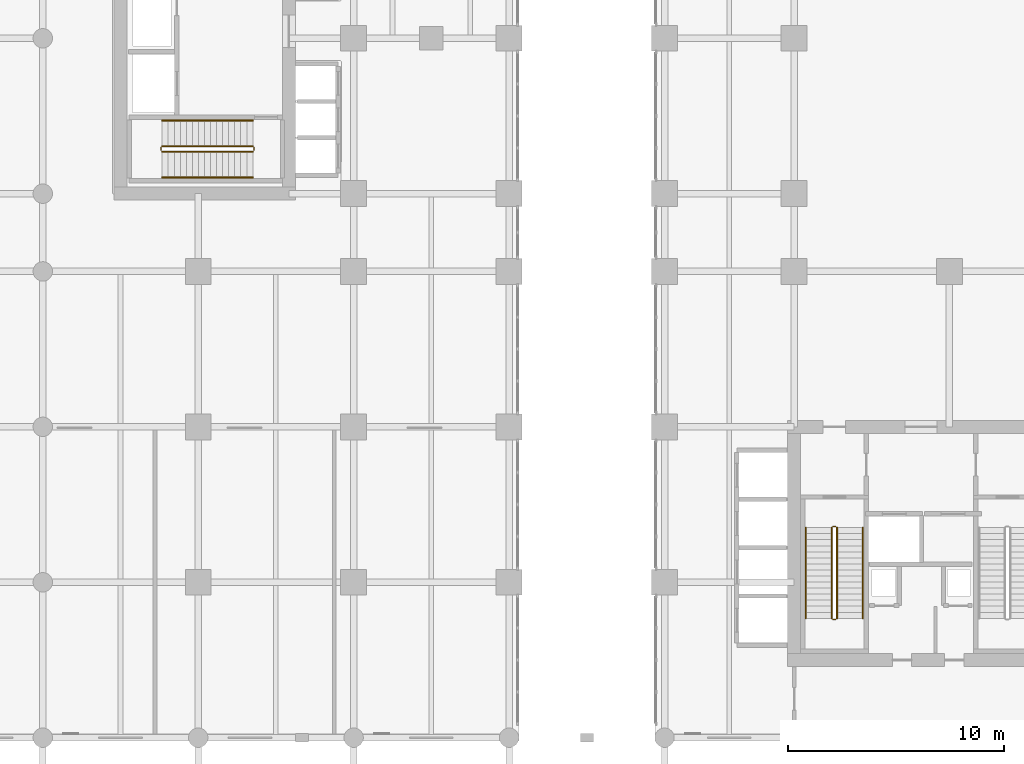
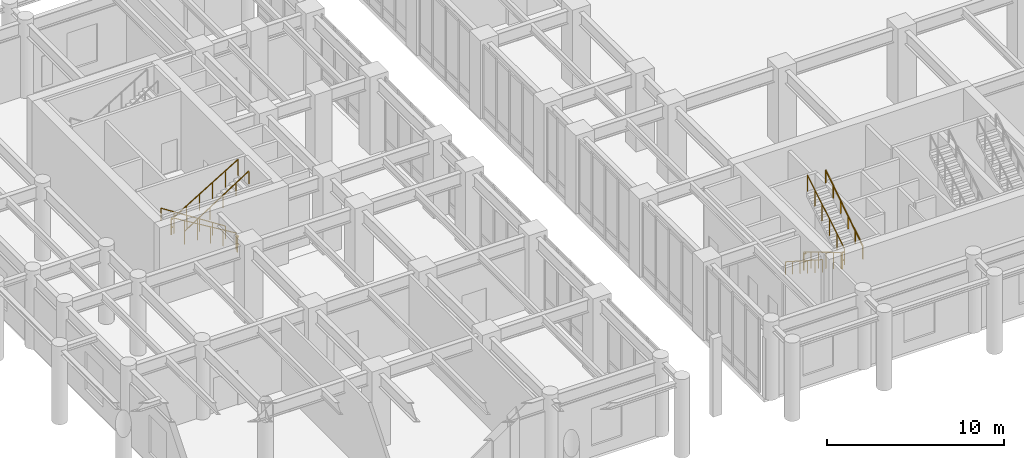
# One storey, part 20 of 23: 12 railings.
"""IFC4 building model written with IfcOpenShell, lengths in metres."""

from ifc_helpers import new_model, si_unit, derived_unit, direction, frame, origin, origin_2d, place, context, subcontext, project, spatial, rectangle, extrude, material, type_object, element, save


model = new_model("IFC4")

# Units and contexts
model_context = context("Model", 3, precision=1e-05, world=origin(), true_north=direction((0.0, 1.0)))
body_context = subcontext(model_context, "Body", "Model", "MODEL_VIEW")
ifc_project = project(units=[si_unit("LENGTHUNIT", "METRE"), si_unit("AREAUNIT", "SQUARE_METRE"), si_unit("VOLUMEUNIT", "CUBIC_METRE"), si_unit("PLANEANGLEUNIT", "RADIAN"), si_unit("MASSUNIT", "GRAM", prefix="KILO"), si_unit("THERMODYNAMICTEMPERATUREUNIT", "KELVIN"), si_unit("POWERUNIT", "WATT"), derived_unit("THERMALTRANSMITTANCEUNIT", [(si_unit("POWERUNIT", "WATT"), 1), (si_unit("AREAUNIT", "SQUARE_METRE"), -1), (si_unit("THERMODYNAMICTEMPERATUREUNIT", "KELVIN"), -1)])], contexts=[model_context])

# Site, building, storey
site_placement = place(None, origin())
site = spatial("IfcSite", under=ifc_project, at=site_placement, CompositionType="ELEMENT")
building_placement = place(site_placement, origin())
building = spatial("IfcBuilding", under=site, at=building_placement, Name="Zahravan Archway Hotel and Residences", CompositionType="ELEMENT")
storey_placement = place(building_placement, frame((0.0, 0.0, 5.39990234375)))
storey = spatial("IfcBuildingStorey", under=building, at=storey_placement, Name="L01", CompositionType="ELEMENT", Elevation=5.39990234375)

# Railings
ifc_material_1 = material(Name="Painted Tubular Steel", Category="steel")
railing_type_1 = type_object("IfcRailingType", Name="RL-STG-1150", PredefinedType="GUARDRAIL", material=ifc_material_1)
railing_1_placement = place(storey_placement, frame((36.550048828125, 9.72998046875, 0.1689453125)))
element("IfcRailing", 1, at=railing_1_placement, inside=storey, type_object=railing_type_1, Name="L01 ST-A1 stair guard 1", PredefinedType="GUARDRAIL", context=body_context, shape_type="SweptSolid", body=[
    extrude(rectangle(XDim=0.048095703125, YDim=0.048095703125, at=origin_2d()), frame((0.0, 0.0, 1.1259765625), z_axis=(0.0, -0.856476492594, 0.516186030065), x_axis=(1.0, 0.0, 0.0)), (0.0, 0.0, 1.0), 4.90380859375),
    extrude(rectangle(XDim=0.0419921875, YDim=0.0419921875, at=origin_2d()), origin(), (0.0, 0.0, 1.0), 1.101806640625),
    extrude(rectangle(XDim=0.0419921875, YDim=0.0419921875, at=origin_2d()), frame((0.0, -0.840087890625, 0.50634765625)), (0.0, 0.0, 1.0), 1.101806640625),
    extrude(rectangle(XDim=0.0419921875, YDim=0.0419921875, at=origin_2d()), frame((0.0, -1.679931640625, 1.012451171875)), (0.0, 0.0, 1.0), 1.101806640625),
    extrude(rectangle(XDim=0.0419921875, YDim=0.0419921875, at=origin_2d()), frame((0.0, -2.52001953125, 1.518798828125)), (0.0, 0.0, 1.0), 1.101806640625),
    extrude(rectangle(XDim=0.0419921875, YDim=0.0419921875, at=origin_2d()), frame((0.0, -3.35986328125, 2.02490234375)), (0.0, 0.0, 1.0), 1.101806640625),
    extrude(rectangle(XDim=0.0419921875, YDim=0.0419921875, at=origin_2d()), frame((0.0, -4.199951171875, 2.53125)), (0.0, 0.0, 1.0), 1.101806640625),
])
railing_2_placement = place(storey_placement, frame((36.60009765625, 5.47998046875, 2.7001953125)))
element("IfcRailing", 2, at=railing_2_placement, inside=storey, type_object=railing_type_1, Name="L01 ST-A1 stair guard 2", PredefinedType="GUARDRAIL", context=body_context, shape_type="SweptSolid", body=[
    extrude(rectangle(XDim=0.048095703125, YDim=0.048095703125, at=origin_2d()), frame((0.0, 0.0, 1.1259765625), z_axis=(1.0, 0.0, 0.0), x_axis=(0.0, 1.0, 0.0)), (0.0, 0.0, 1.0), 0.139892578125),
    extrude(rectangle(XDim=0.048095703125, YDim=0.048095703125, at=origin_2d()), frame((0.0, 0.0, 0.574951171875), z_axis=(1.0, 0.0, 0.0), x_axis=(0.0, 1.0, 0.0)), (0.0, 0.0, 1.0), 0.139892578125),
    extrude(rectangle(XDim=0.0419921875, YDim=0.0419921875, at=origin_2d()), origin(), (0.0, 0.0, 1.0), 1.101806640625),
])
railing_3_placement = place(storey_placement, frame((36.7900390625, 5.530029296875, 2.868896484375)))
element("IfcRailing", 3, at=railing_3_placement, inside=storey, type_object=railing_type_1, Name="L01 ST-A1 stair guard 3", PredefinedType="GUARDRAIL", context=body_context, shape_type="SweptSolid", body=[
    extrude(rectangle(XDim=0.048095703125, YDim=0.048095703125, at=origin_2d()), frame((0.0, 0.0, 1.1259765625), z_axis=(0.0, 0.856476492594, 0.516186030065), x_axis=(-1.0, 0.0, 0.0)), (0.0, 0.0, 1.0), 4.90380859375),
    extrude(rectangle(XDim=0.0419921875, YDim=0.0419921875, at=origin_2d()), origin(), (0.0, 0.0, 1.0), 1.101806640625),
    extrude(rectangle(XDim=0.0419921875, YDim=0.0419921875, at=origin_2d()), frame((0.0, 0.840087890625, 0.50634765625)), (0.0, 0.0, 1.0), 1.101806640625),
    extrude(rectangle(XDim=0.0419921875, YDim=0.0419921875, at=origin_2d()), frame((0.0, 1.679931640625, 1.012451171875)), (0.0, 0.0, 1.0), 1.101806640625),
    extrude(rectangle(XDim=0.0419921875, YDim=0.0419921875, at=origin_2d()), frame((0.0, 2.52001953125, 1.518798828125)), (0.0, 0.0, 1.0), 1.101806640625),
    extrude(rectangle(XDim=0.0419921875, YDim=0.0419921875, at=origin_2d()), frame((0.0, 3.35986328125, 2.02490234375)), (0.0, 0.0, 1.0), 1.101806640625),
    extrude(rectangle(XDim=0.0419921875, YDim=0.0419921875, at=origin_2d()), frame((0.0, 4.199951171875, 2.53125)), (0.0, 0.0, 1.0), 1.101806640625),
])
railing_4_placement = place(storey_placement, frame((36.60009765625, 9.780029296875, 0.0)))
element("IfcRailing", 4, at=railing_4_placement, inside=storey, type_object=railing_type_1, Name="L01 ST-A1 stair guard 4", PredefinedType="GUARDRAIL", context=body_context, shape_type="SweptSolid", body=[
    extrude(rectangle(XDim=0.048095703125, YDim=0.048095703125, at=origin_2d()), frame((0.0, 0.0, 1.1259765625), z_axis=(1.0, 0.0, 0.0), x_axis=(0.0, 1.0, 0.0)), (0.0, 0.0, 1.0), 0.139892578125),
    extrude(rectangle(XDim=0.048095703125, YDim=0.048095703125, at=origin_2d()), frame((0.0, 0.0, 0.574951171875), z_axis=(1.0, 0.0, 0.0), x_axis=(0.0, 1.0, 0.0)), (0.0, 0.0, 1.0), 0.139892578125),
    extrude(rectangle(XDim=0.0419921875, YDim=0.0419921875, at=origin_2d()), origin(), (0.0, 0.0, 1.0), 1.101806640625),
])
railing_5_placement = place(storey_placement, frame((9.72998046875, 27.389892578125, 0.1689453125)))
element("IfcRailing", 5, at=railing_5_placement, inside=storey, type_object=railing_type_1, Name="L01 ST-B1 stair guard 1", PredefinedType="GUARDRAIL", context=body_context, shape_type="SweptSolid", body=[
    extrude(rectangle(XDim=0.048095703125, YDim=0.048095703125, at=origin_2d()), frame((0.0, 0.0, 1.1259765625), z_axis=(-0.856476492594, 0.0, 0.516186030065), x_axis=(0.0, -1.0, 0.0)), (0.0, 0.0, 1.0), 4.90380859375),
    extrude(rectangle(XDim=0.0419921875, YDim=0.0419921875, at=origin_2d()), origin(), (0.0, 0.0, 1.0), 1.101806640625),
    extrude(rectangle(XDim=0.0419921875, YDim=0.0419921875, at=origin_2d()), frame((-0.840087890625, 0.0, 0.50634765625)), (0.0, 0.0, 1.0), 1.101806640625),
    extrude(rectangle(XDim=0.0419921875, YDim=0.0419921875, at=origin_2d()), frame((-1.679931640625, 0.0, 1.012451171875)), (0.0, 0.0, 1.0), 1.101806640625),
    extrude(rectangle(XDim=0.0419921875, YDim=0.0419921875, at=origin_2d()), frame((-2.52001953125, 0.0, 1.518798828125)), (0.0, 0.0, 1.0), 1.101806640625),
    extrude(rectangle(XDim=0.0419921875, YDim=0.0419921875, at=origin_2d()), frame((-3.35986328125, 0.0, 2.02490234375)), (0.0, 0.0, 1.0), 1.101806640625),
    extrude(rectangle(XDim=0.0419921875, YDim=0.0419921875, at=origin_2d()), frame((-4.199951171875, 0.0, 2.53125)), (0.0, 0.0, 1.0), 1.101806640625),
])
railing_6_placement = place(storey_placement, frame((5.47998046875, 27.340087890625, 2.7001953125)))
element("IfcRailing", 6, at=railing_6_placement, inside=storey, type_object=railing_type_1, Name="L01 ST-B1 stair guard 2", PredefinedType="GUARDRAIL", context=body_context, shape_type="SweptSolid", body=[
    extrude(rectangle(XDim=0.048095703125, YDim=0.048095703125, at=origin_2d()), frame((0.0, 0.0, 1.1259765625), z_axis=(0.0, -1.0, 0.0), x_axis=(1.0, 0.0, 0.0)), (0.0, 0.0, 1.0), 0.14013671875),
    extrude(rectangle(XDim=0.048095703125, YDim=0.048095703125, at=origin_2d()), frame((0.0, 0.0, 0.574951171875), z_axis=(0.0, -1.0, 0.0), x_axis=(1.0, 0.0, 0.0)), (0.0, 0.0, 1.0), 0.14013671875),
    extrude(rectangle(XDim=0.0419921875, YDim=0.0419921875, at=origin_2d()), origin(), (0.0, 0.0, 1.0), 1.101806640625),
])
railing_7_placement = place(storey_placement, frame((5.530029296875, 27.14990234375, 2.868896484375)))
element("IfcRailing", 7, at=railing_7_placement, inside=storey, type_object=railing_type_1, Name="L01 ST-B1 stair guard 3", PredefinedType="GUARDRAIL", context=body_context, shape_type="SweptSolid", body=[
    extrude(rectangle(XDim=0.048095703125, YDim=0.048095703125, at=origin_2d()), frame((0.0, 0.0, 1.1259765625), z_axis=(0.856476492594, 0.0, 0.516186030065), x_axis=(0.0, 1.0, 0.0)), (0.0, 0.0, 1.0), 4.90380859375),
    extrude(rectangle(XDim=0.0419921875, YDim=0.0419921875, at=origin_2d()), origin(), (0.0, 0.0, 1.0), 1.101806640625),
    extrude(rectangle(XDim=0.0419921875, YDim=0.0419921875, at=origin_2d()), frame((0.840087890625, 0.0, 0.50634765625)), (0.0, 0.0, 1.0), 1.101806640625),
    extrude(rectangle(XDim=0.0419921875, YDim=0.0419921875, at=origin_2d()), frame((1.679931640625, 0.0, 1.012451171875)), (0.0, 0.0, 1.0), 1.101806640625),
    extrude(rectangle(XDim=0.0419921875, YDim=0.0419921875, at=origin_2d()), frame((2.52001953125, 0.0, 1.518798828125)), (0.0, 0.0, 1.0), 1.101806640625),
    extrude(rectangle(XDim=0.0419921875, YDim=0.0419921875, at=origin_2d()), frame((3.35986328125, 0.0, 2.02490234375)), (0.0, 0.0, 1.0), 1.101806640625),
    extrude(rectangle(XDim=0.0419921875, YDim=0.0419921875, at=origin_2d()), frame((4.199951171875, 0.0, 2.53125)), (0.0, 0.0, 1.0), 1.101806640625),
])
railing_8_placement = place(storey_placement, frame((9.780029296875, 27.340087890625, 0.0)))
element("IfcRailing", 8, at=railing_8_placement, inside=storey, type_object=railing_type_1, Name="L01 ST-B1 stair guard 4", PredefinedType="GUARDRAIL", context=body_context, shape_type="SweptSolid", body=[
    extrude(rectangle(XDim=0.048095703125, YDim=0.048095703125, at=origin_2d()), frame((0.0, 0.0, 1.1259765625), z_axis=(0.0, -1.0, 0.0), x_axis=(1.0, 0.0, 0.0)), (0.0, 0.0, 1.0), 0.14013671875),
    extrude(rectangle(XDim=0.048095703125, YDim=0.048095703125, at=origin_2d()), frame((0.0, 0.0, 0.574951171875), z_axis=(0.0, -1.0, 0.0), x_axis=(1.0, 0.0, 0.0)), (0.0, 0.0, 1.0), 0.14013671875),
    extrude(rectangle(XDim=0.0419921875, YDim=0.0419921875, at=origin_2d()), origin(), (0.0, 0.0, 1.0), 1.101806640625),
])
ifc_material_2 = material(Name="Brushed Stainless Steel", Category="steel")
railing_type_2 = type_object("IfcRailingType", Name="RL-STH-900", PredefinedType="HANDRAIL", material=ifc_material_2)
railing_9_placement = place(storey_placement, frame((35.35009765625, 9.72998046875, 0.1689453125)))
element("IfcRailing", 9, at=railing_9_placement, inside=storey, type_object=railing_type_2, Name="L01 ST-A1 stair handrail 1", PredefinedType="HANDRAIL", context=body_context, shape_type="SweptSolid", body=[
    extrude(rectangle(XDim=0.048095703125, YDim=0.048095703125, at=origin_2d()), frame((0.0, 0.0, 0.8759765625), z_axis=(0.0, -0.841180064094, 0.540755119968), x_axis=(1.0, 0.0, 0.0)), (0.0, 0.0, 1.0), 4.992919921875),
    extrude(rectangle(XDim=0.0419921875, YDim=0.0419921875, at=origin_2d()), origin(), (0.0, 0.0, 1.0), 0.851806640625),
    extrude(rectangle(XDim=0.0419921875, YDim=0.0419921875, at=origin_2d()), frame((0.0, -0.840087890625, 0.5400390625)), (0.0, 0.0, 1.0), 0.851806640625),
    extrude(rectangle(XDim=0.0419921875, YDim=0.0419921875, at=origin_2d()), frame((0.0, -1.679931640625, 1.080078125)), (0.0, 0.0, 1.0), 0.851806640625),
    extrude(rectangle(XDim=0.0419921875, YDim=0.0419921875, at=origin_2d()), frame((0.0, -2.52001953125, 1.619873046875)), (0.0, 0.0, 1.0), 0.851806640625),
    extrude(rectangle(XDim=0.0419921875, YDim=0.0419921875, at=origin_2d()), frame((0.0, -3.35986328125, 2.159912109375)), (0.0, 0.0, 1.0), 0.851806640625),
    extrude(rectangle(XDim=0.0419921875, YDim=0.0419921875, at=origin_2d()), frame((0.0, -4.199951171875, 2.699951171875)), (0.0, 0.0, 1.0), 0.851806640625),
])
railing_10_placement = place(storey_placement, frame((37.989990234375, 5.530029296875, 2.868896484375)))
element("IfcRailing", 10, at=railing_10_placement, inside=storey, type_object=railing_type_2, Name="L01 ST-A1 stair handrail 2", PredefinedType="HANDRAIL", context=body_context, shape_type="SweptSolid", body=[
    extrude(rectangle(XDim=0.048095703125, YDim=0.048095703125, at=origin_2d()), frame((0.0, 0.0, 0.8759765625), z_axis=(0.0, 0.841180064094, 0.540755119968), x_axis=(-1.0, 0.0, 0.0)), (0.0, 0.0, 1.0), 4.992919921875),
    extrude(rectangle(XDim=0.0419921875, YDim=0.0419921875, at=origin_2d()), origin(), (0.0, 0.0, 1.0), 0.851806640625),
    extrude(rectangle(XDim=0.0419921875, YDim=0.0419921875, at=origin_2d()), frame((0.0, 0.840087890625, 0.5400390625)), (0.0, 0.0, 1.0), 0.851806640625),
    extrude(rectangle(XDim=0.0419921875, YDim=0.0419921875, at=origin_2d()), frame((0.0, 1.679931640625, 1.080078125)), (0.0, 0.0, 1.0), 0.851806640625),
    extrude(rectangle(XDim=0.0419921875, YDim=0.0419921875, at=origin_2d()), frame((0.0, 2.52001953125, 1.619873046875)), (0.0, 0.0, 1.0), 0.851806640625),
    extrude(rectangle(XDim=0.0419921875, YDim=0.0419921875, at=origin_2d()), frame((0.0, 3.35986328125, 2.159912109375)), (0.0, 0.0, 1.0), 0.851806640625),
    extrude(rectangle(XDim=0.0419921875, YDim=0.0419921875, at=origin_2d()), frame((0.0, 4.199951171875, 2.699951171875)), (0.0, 0.0, 1.0), 0.851806640625),
])
railing_11_placement = place(storey_placement, frame((9.72998046875, 28.590087890625, 0.1689453125)))
element("IfcRailing", 11, at=railing_11_placement, inside=storey, type_object=railing_type_2, Name="L01 ST-B1 stair handrail 1", PredefinedType="HANDRAIL", context=body_context, shape_type="SweptSolid", body=[
    extrude(rectangle(XDim=0.048095703125, YDim=0.048095703125, at=origin_2d()), frame((0.0, 0.0, 0.8759765625), z_axis=(-0.841180064094, 0.0, 0.540755119968), x_axis=(0.0, -1.0, 0.0)), (0.0, 0.0, 1.0), 4.992919921875),
    extrude(rectangle(XDim=0.0419921875, YDim=0.0419921875, at=origin_2d()), origin(), (0.0, 0.0, 1.0), 0.851806640625),
    extrude(rectangle(XDim=0.0419921875, YDim=0.0419921875, at=origin_2d()), frame((-0.840087890625, 0.0, 0.5400390625)), (0.0, 0.0, 1.0), 0.851806640625),
    extrude(rectangle(XDim=0.0419921875, YDim=0.0419921875, at=origin_2d()), frame((-1.679931640625, 0.0, 1.080078125)), (0.0, 0.0, 1.0), 0.851806640625),
    extrude(rectangle(XDim=0.0419921875, YDim=0.0419921875, at=origin_2d()), frame((-2.52001953125, 0.0, 1.619873046875)), (0.0, 0.0, 1.0), 0.851806640625),
    extrude(rectangle(XDim=0.0419921875, YDim=0.0419921875, at=origin_2d()), frame((-3.35986328125, 0.0, 2.159912109375)), (0.0, 0.0, 1.0), 0.851806640625),
    extrude(rectangle(XDim=0.0419921875, YDim=0.0419921875, at=origin_2d()), frame((-4.199951171875, 0.0, 2.699951171875)), (0.0, 0.0, 1.0), 0.851806640625),
])
railing_12_placement = place(storey_placement, frame((5.530029296875, 25.949951171875, 2.868896484375)))
element("IfcRailing", 12, at=railing_12_placement, inside=storey, type_object=railing_type_2, Name="L01 ST-B1 stair handrail 2", PredefinedType="HANDRAIL", context=body_context, shape_type="SweptSolid", body=[
    extrude(rectangle(XDim=0.048095703125, YDim=0.048095703125, at=origin_2d()), frame((0.0, 0.0, 0.8759765625), z_axis=(0.841180064094, 0.0, 0.540755119968), x_axis=(0.0, 1.0, 0.0)), (0.0, 0.0, 1.0), 4.992919921875),
    extrude(rectangle(XDim=0.0419921875, YDim=0.0419921875, at=origin_2d()), origin(), (0.0, 0.0, 1.0), 0.851806640625),
    extrude(rectangle(XDim=0.0419921875, YDim=0.0419921875, at=origin_2d()), frame((0.840087890625, 0.0, 0.5400390625)), (0.0, 0.0, 1.0), 0.851806640625),
    extrude(rectangle(XDim=0.0419921875, YDim=0.0419921875, at=origin_2d()), frame((1.679931640625, 0.0, 1.080078125)), (0.0, 0.0, 1.0), 0.851806640625),
    extrude(rectangle(XDim=0.0419921875, YDim=0.0419921875, at=origin_2d()), frame((2.52001953125, 0.0, 1.619873046875)), (0.0, 0.0, 1.0), 0.851806640625),
    extrude(rectangle(XDim=0.0419921875, YDim=0.0419921875, at=origin_2d()), frame((3.35986328125, 0.0, 2.159912109375)), (0.0, 0.0, 1.0), 0.851806640625),
    extrude(rectangle(XDim=0.0419921875, YDim=0.0419921875, at=origin_2d()), frame((4.199951171875, 0.0, 2.699951171875)), (0.0, 0.0, 1.0), 0.851806640625),
])

save(model, "model.ifc")
